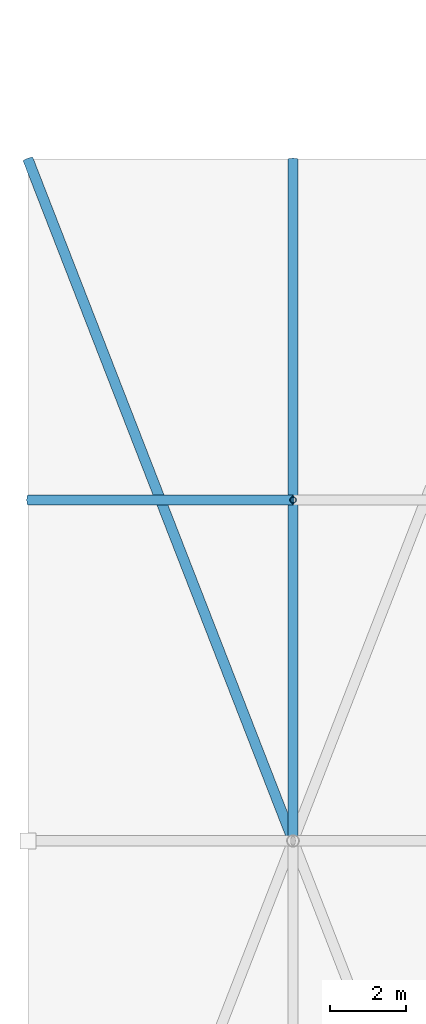
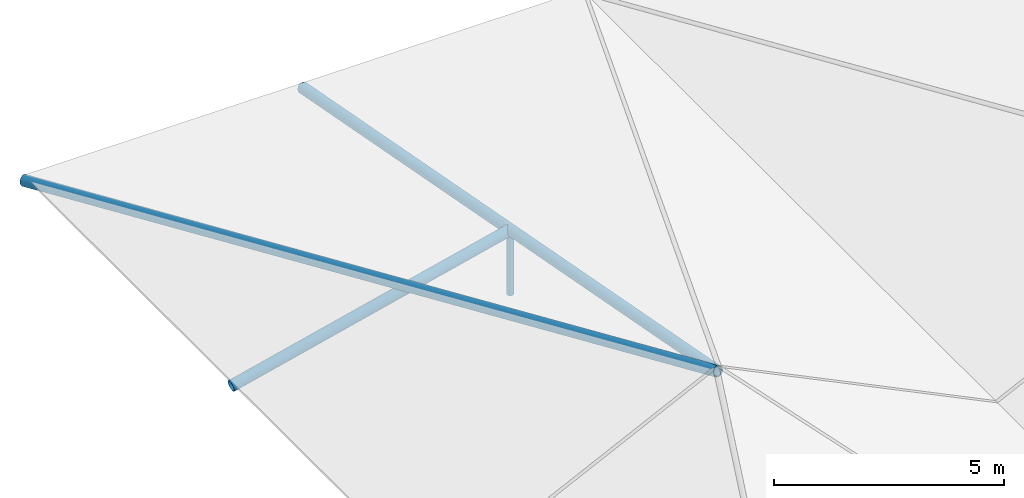
# One storey, part 47 of 93: 4 members.
"""IFC4 building model written with IfcOpenShell, lengths in metres."""

from ifc_helpers import new_model, si_unit, derived_unit, direction, frame, origin, origin_2d_with_axis, place, context, subcontext, project, spatial, hollow_circle, extrude, material, material_profile, profile_set, type_object, element, save


model = new_model("IFC4")

# Units and contexts
model_context = context("Model", 3, precision=1e-05, world=origin(), true_north=direction((0.0, 1.0)))
body_context = subcontext(model_context, "Body", "Model", "MODEL_VIEW")
ifc_project = project(units=[si_unit("LENGTHUNIT", "METRE"), si_unit("AREAUNIT", "SQUARE_METRE"), si_unit("VOLUMEUNIT", "CUBIC_METRE"), si_unit("PLANEANGLEUNIT", "RADIAN"), si_unit("MASSUNIT", "GRAM", prefix="KILO"), derived_unit("THERMALTRANSMITTANCEUNIT", [(si_unit("POWERUNIT", "WATT"), 1), (si_unit("LENGTHUNIT", "METRE"), -2), (si_unit("THERMODYNAMICTEMPERATUREUNIT", "KELVIN"), -1)])], contexts=[model_context])

# Site, building, storey
site_placement = place(None, origin())
site = spatial("IfcSite", under=ifc_project, at=site_placement, CompositionType="ELEMENT")
building_placement = place(site_placement, origin())
building = spatial("IfcBuilding", under=site, at=building_placement, Name="Cinnabar Yard Market Hall", CompositionType="ELEMENT")
storey_placement = place(building_placement, frame((0.0, 0.0, 23.800048828125)))
storey = spatial("IfcBuildingStorey", under=building, at=storey_placement, Name="ROOF", CompositionType="ELEMENT", Elevation=23.800048828125)

# Members
ifc_material = material(Name="Cold-formed steel C350L0", Category="steel")
ifc_material_profile_1 = material_profile(ifc_material, hollow_circle(Radius=0.136474609375, WallThickness=0.00927734375, at=origin_2d_with_axis()), Name="273.1x9.3CHS")
ifc_profile_set_1 = profile_set([ifc_material_profile_1], Name="Cold-formed steel C350L0")
member_type_1 = type_object("IfcMemberType", Name="MB-TC02", PredefinedType="CHORD", material=ifc_profile_set_1)
member_1_placement = place(storey_placement, frame((10.0, 84.0, -15.400146484375), z_axis=(0.356956605479, -0.917888414088, 0.173386392456), x_axis=(0.932004671541, 0.362446261155, 0.0)))
element("IfcMember", 1, at=member_1_placement, inside=storey, type_object=member_type_1, Name="Chhatri Hip Rafter CH1-4", PredefinedType="CHORD", context=body_context, shape_type="SweptSolid", body=[
    extrude(hollow_circle(Radius=0.136474609375, WallThickness=0.00927734375, at=origin_2d_with_axis()), origin(), (0.0, 0.0, 1.0), 19.610107421875),
])
member_2_placement = place(storey_placement, frame((17.0, 84.0, -15.400146484375), z_axis=(0.0, -0.982622643196, 0.185614495874), x_axis=(1.0, 0.0, 0.0)))
element("IfcMember", 2, at=member_2_placement, inside=storey, type_object=member_type_1, Name="Chhatri Hip Rafter CH1-6", PredefinedType="CHORD", context=body_context, shape_type="SweptSolid", body=[
    extrude(hollow_circle(Radius=0.136474609375, WallThickness=0.00927734375, at=origin_2d_with_axis()), origin(), (0.0, 0.0, 1.0), 18.318359375),
])
member_3_placement = place(storey_placement, frame((10.0, 75.0, -15.400146484375), z_axis=(0.971747485636, 0.0, 0.23602293143), x_axis=(0.0, 1.0, 0.0)))
element("IfcMember", 3, at=member_3_placement, inside=storey, type_object=member_type_1, Name="Chhatri Rafter CH1-75A", PredefinedType="CHORD", context=body_context, shape_type="SweptSolid", body=[
    extrude(hollow_circle(Radius=0.136474609375, WallThickness=0.00927734375, at=origin_2d_with_axis()), origin(), (0.0, 0.0, 1.0), 7.20361328125),
])
ifc_material_profile_2 = material_profile(ifc_material, hollow_circle(Radius=0.084228515625, WallThickness=0.00634765625, at=origin_2d_with_axis()), Name="168.3x6.4CHS")
ifc_profile_set_2 = profile_set([ifc_material_profile_2], Name="Cold-formed steel C350L0")
member_type_2 = type_object("IfcMemberType", Name="MB-WB01", PredefinedType="STRUT", material=ifc_profile_set_2)
member_4_placement = place(storey_placement, frame((17.0, 75.0, -15.400146484375), z_axis=(0.0, 0.0, 1.0), x_axis=(1.0, 0.0, 0.0)))
element("IfcMember", 4, at=member_4_placement, inside=storey, type_object=member_type_2, Name="Chhatri Support Post CH1-75", PredefinedType="STRUT", context=body_context, shape_type="SweptSolid", body=[
    extrude(hollow_circle(Radius=0.084228515625, WallThickness=0.00634765625, at=origin_2d_with_axis()), origin(), (0.0, 0.0, 1.0), 1.7001953125),
])

save(model, "model.ifc")
